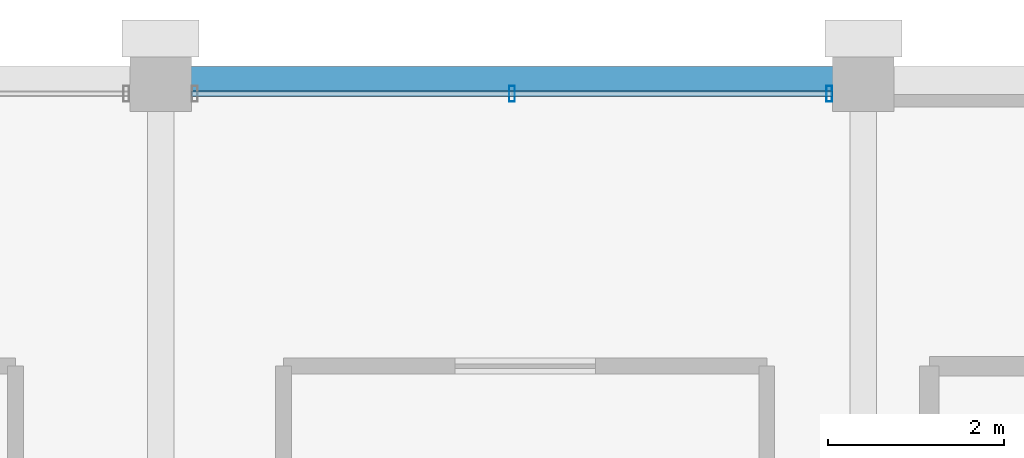
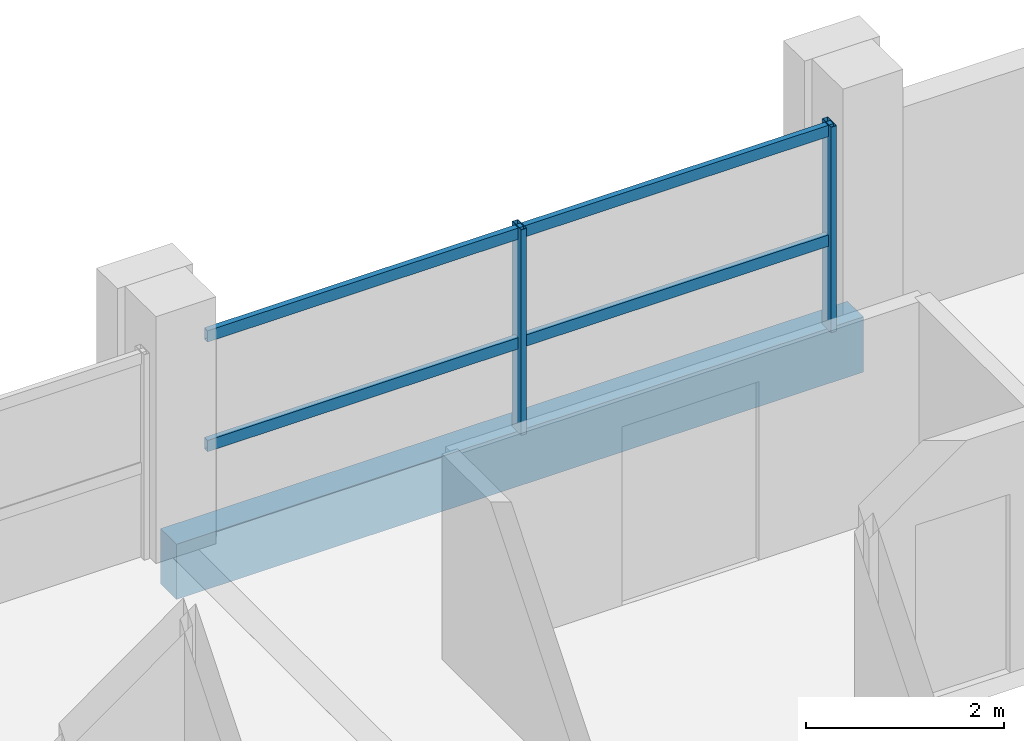
# One storey, part 18 of 24: 4 members, 1 beam, 1 element without a shape of its own.
"""IFC4 building model written with IfcOpenShell, lengths in metres."""

import ifcopenshell
import ifcopenshell.guid

model = None  # the IFC model being written
_history = None  # IfcOwnerHistory: only IFC2X3 demands one
_inside = {}  # id of a spatial element -> (the spatial element, [elements in it])
_under = {}  # id of a project, library or spatial element -> (it, [spatial elements below it])
_declared = {}  # id of a project -> (the project, [libraries it declares])
_typed = {}  # id of a type object -> (the type object, [elements of that type])
_made_of = {}  # id of a material, layer set ... -> (it, [elements and type objects made of it])


def new_model(schema):
    """Start an empty IFC model of exactly this schema.

    Asked for "IFC4X3", IfcOpenShell would pick the latest addendum, in which some entities
    have other attributes; the version numbers below select the first issue.
    IFC2X3 requires an IfcOwnerHistory on every rooted entity: one is made here for all.
    """
    global model, _history
    if schema == "IFC4X3":
        model = ifcopenshell.file(schema_version=(4, 3, 0, 0))
    else:
        model = ifcopenshell.file(schema=schema)
    _inside.clear()
    _under.clear()
    _declared.clear()
    _typed.clear()
    _made_of.clear()
    _history = None
    if model.schema == "IFC2X3":
        org = make("IfcOrganization", Name="unknown")
        user = make(
            "IfcPersonAndOrganization",
            ThePerson=make("IfcPerson", FamilyName="unknown"),
            TheOrganization=org,
        )
        app = make(
            "IfcApplication",
            ApplicationDeveloper=org,
            Version="unknown",
            ApplicationFullName="unknown",
            ApplicationIdentifier="unknown",
        )
        _history = make(
            "IfcOwnerHistory",
            OwningUser=user,
            OwningApplication=app,
            ChangeAction="ADDED",
            CreationDate=0,
        )
    return model


def make(cls, **values):
    """One entity of the class cls with the attributes given. An attribute that is None is left unset."""
    return model.create_entity(
        cls, **{name: value for name, value in values.items() if value is not None}
    )


def rooted(cls, **values):
    """An entity with a GlobalId (a new one), such as an element, a storey or a relation."""
    return make(cls, GlobalId=ifcopenshell.guid.new(), OwnerHistory=_history, **values)


def si_unit(unit_type, name, prefix=None):
    """IfcSIUnit, for example si_unit("LENGTHUNIT", "METRE", prefix="MILLI")."""
    return make("IfcSIUnit", UnitType=unit_type, Prefix=prefix, Name=name)


def assignment(units):
    """IfcUnitAssignment: the units of a project."""
    return None if units is None else make("IfcUnitAssignment", Units=units)


def point(xyz):
    """IfcCartesianPoint."""
    return None if xyz is None else make("IfcCartesianPoint", Coordinates=xyz)


def direction(xyz):
    """IfcDirection."""
    return None if xyz is None else make("IfcDirection", DirectionRatios=xyz)


def frame(location, z_axis=None, x_axis=None):
    """IfcAxis2Placement3D, a coordinate frame: its origin and axes. An axis left out is left unset."""
    return make(
        "IfcAxis2Placement3D",
        Location=point(location),
        Axis=direction(z_axis),
        RefDirection=direction(x_axis),
    )


def frame_2d(location, x_axis=None):
    """IfcAxis2Placement2D, a coordinate frame in the plane: its origin and x axis."""
    return make(
        "IfcAxis2Placement2D", Location=point(location), RefDirection=direction(x_axis)
    )


def origin():
    """The frame at (0, 0, 0) with its axes left unset."""
    return frame((0.0, 0.0, 0.0))


def origin_2d():
    """The frame at (0, 0) in the plane with its x axis left unset."""
    return frame_2d((0.0, 0.0))


def place(relative_to, where):
    """IfcLocalPlacement: puts the frame where relative to a parent placement (None: the world)."""
    return make(
        "IfcLocalPlacement", PlacementRelTo=relative_to, RelativePlacement=where
    )


def context(
    kind, dimensions, precision=None, world=None, true_north=None, identifier=None
):
    """IfcGeometricRepresentationContext, for example the 3D "Model" context."""
    return make(
        "IfcGeometricRepresentationContext",
        ContextIdentifier=identifier,
        ContextType=kind,
        CoordinateSpaceDimension=dimensions,
        Precision=precision,
        WorldCoordinateSystem=world,
        TrueNorth=true_north,
    )


def subcontext(parent, identifier, kind, view, scale=None):
    """IfcGeometricRepresentationSubContext, for example "Body" below "Model"."""
    return make(
        "IfcGeometricRepresentationSubContext",
        ContextIdentifier=identifier,
        ContextType=kind,
        ParentContext=parent,
        TargetScale=scale,
        TargetView=view,
    )


def project(units=None, contexts=None):
    """IfcProject with its units and contexts."""
    return rooted(
        "IfcProject",
        Name="project",
        RepresentationContexts=contexts,
        UnitsInContext=assignment(units),
    )


def spatial(cls, under=None, at=None, **own):
    """A site, building, storey or space (cls), placed at a placement, below another one or the project."""
    s = rooted(cls, ObjectPlacement=at, **own)
    if under is not None:
        _under.setdefault(under.id(), (under, []))[1].append(s)
    return s


def profile(cls, at=None, kind="AREA", **sizes):
    """A parametric profile (cls). Its sizes go by their IFC names, for example OverallWidth=200.0."""
    return make(cls, ProfileType=kind, Position=at, **sizes)


def rectangle(**sizes):
    """IfcRectangleProfileDef."""
    return profile("IfcRectangleProfileDef", **sizes)


def hollow_rectangle(**sizes):
    """IfcRectangleHollowProfileDef."""
    return profile("IfcRectangleHollowProfileDef", **sizes)


def extrude(swept, where, along, depth):
    """IfcExtrudedAreaSolid: the profile swept, set in the frame where, extruded along a direction by depth."""
    return make(
        "IfcExtrudedAreaSolid",
        SweptArea=swept,
        Position=where,
        ExtrudedDirection=direction(along),
        Depth=depth,
    )


def shape(context_of_items, identifier, shape_type, items):
    """IfcShapeRepresentation: the items that make up one representation, for example the "Body"."""
    return make(
        "IfcShapeRepresentation",
        ContextOfItems=context_of_items,
        RepresentationIdentifier=identifier,
        RepresentationType=shape_type,
        Items=items,
    )


def material(Name=None, Category=None):
    """IfcMaterial."""
    return make("IfcMaterial", Name=Name, Category=Category)


def material_profile(
    of_material, cross_section, Name=None, Category=None, Priority=None
):
    """IfcMaterialProfile: a cross section and its material."""
    return make(
        "IfcMaterialProfile",
        Name=Name,
        Material=of_material,
        Profile=cross_section,
        Priority=Priority,
        Category=Category,
    )


def profile_set(profiles, Name=None, composite=None):
    """IfcMaterialProfileSet."""
    return make(
        "IfcMaterialProfileSet",
        Name=Name,
        MaterialProfiles=profiles,
        CompositeProfile=composite,
    )


def made_of(thing, what):
    """Note that an element or type object is made of a material, layer set ...; save() writes the relation."""
    if what is not None:
        _made_of.setdefault(what.id(), (what, []))[1].append(thing)
    return thing


def type_object(cls, material=None, **own):
    """A type object (cls), such as IfcWallType, which elements share."""
    return made_of(rooted(cls, **own), material)


def element(
    cls,
    number,
    at=None,
    inside=None,
    cuts=None,
    type_object=None,
    material=None,
    context=None,
    identifier="Body",
    shape_type=None,
    held_by="IfcProductDefinitionShape",
    body=None,
    shapes=None,
    **own,
):
    """One element of the class cls, such as IfcWall. Its Tag is "e" and its number.

    at: its placement. inside: the storey or other place that contains it. cuts: it is an
    opening in that element (IfcRelVoidsElement). A single representation is given by context,
    identifier, shape_type and body (its items); several are given by shapes. held_by: the class
    of the entity that holds the representations. save() writes the other relations.
    """
    e = rooted(cls, Tag="e%d" % number, ObjectPlacement=at, **own)
    if body is not None:
        shapes = [shape(context, identifier, shape_type, body)]
    if shapes is not None:
        e.Representation = make(held_by, Representations=shapes)
    if inside is not None:
        _inside.setdefault(inside.id(), (inside, []))[1].append(e)
    if cuts is not None:
        rooted(
            "IfcRelVoidsElement", RelatingBuildingElement=cuts, RelatedOpeningElement=e
        )
    if type_object is not None:
        _typed.setdefault(type_object.id(), (type_object, []))[1].append(e)
    return made_of(e, material)


def aggregate(whole, parts):
    """IfcRelAggregates: a whole, such as a stair, and the parts it consists of."""
    return rooted("IfcRelAggregates", RelatingObject=whole, RelatedObjects=parts)


def save(model, path):
    """Write the relations noted so far, then the file.

    IfcRelAggregates (storeys below a building ...), IfcRelContainedInSpatialStructure (elements
    in a storey), IfcRelDefinesByType, IfcRelAssociatesMaterial and IfcRelDeclares: one each for
    every whole, place, type object, material and project.
    """
    for whole, parts in _under.values():
        aggregate(whole, parts)
    for where, things in _inside.values():
        rooted(
            "IfcRelContainedInSpatialStructure",
            RelatedElements=things,
            RelatingStructure=where,
        )
    for kind, things in _typed.values():
        rooted("IfcRelDefinesByType", RelatedObjects=things, RelatingType=kind)
    for what, things in _made_of.values():
        rooted("IfcRelAssociatesMaterial", RelatedObjects=things, RelatingMaterial=what)
    for by, libraries in _declared.values():
        rooted("IfcRelDeclares", RelatingContext=by, RelatedDefinitions=libraries)
    model.write(path)


model = new_model("IFC4")

# Units and contexts
model_context = context("Model", 3, precision=1e-05, world=origin(), true_north=direction((0.0, 1.0)))
body_context = subcontext(model_context, "Body", "Model", "MODEL_VIEW")
ifc_project = project(units=[si_unit("LENGTHUNIT", "METRE"), si_unit("AREAUNIT", "SQUARE_METRE"), si_unit("VOLUMEUNIT", "CUBIC_METRE"), si_unit("PLANEANGLEUNIT", "RADIAN"), si_unit("MASSUNIT", "GRAM", prefix="KILO")], contexts=[model_context])

# Site, building, storey
site_placement = place(None, origin())
site = spatial("IfcSite", under=ifc_project, at=site_placement, CompositionType="ELEMENT")
building_placement = place(site_placement, origin())
building = spatial("IfcBuilding", under=site, at=building_placement, Name="Akrevak Sports Hall", CompositionType="ELEMENT")
storey_placement = place(building_placement, frame((0.0, 0.0, 60.050048828125)))
storey = spatial("IfcBuildingStorey", under=building, at=storey_placement, Name="L15", CompositionType="ELEMENT", Elevation=60.050048828125)

# Curtain wall, members
ifc_material_1 = material(Name="Anodized Bronze Aluminium & Low-E Glass", Category="aluminium")
curtain_wall_type = type_object("IfcCurtainWallType", Name="ARC-CW-TWR-56x30", PredefinedType="NOTDEFINED", material=ifc_material_1)
curtain_wall_placement = place(storey_placement, origin())
curtain_wall = element("IfcCurtainWall", 1, at=curtain_wall_placement, inside=storey, type_object=curtain_wall_type, Name="Curtain Wall CW-L15-N19", PredefinedType="NOTDEFINED")
ifc_material_2 = material(Name="Anodized Bronze Aluminium", Category="aluminium")
ifc_material_profile_1 = material_profile(ifc_material_2, hollow_rectangle(XDim=0.06494140625, YDim=0.179931640625, WallThickness=0.00390625, at=origin_2d()), Name="CWM 65x180", Category="aluminium")
ifc_profile_set_1 = profile_set([ifc_material_profile_1], Name="Anodized Bronze Aluminium")
member_type_1 = type_object("IfcMemberType", Name="ARC-CWM-65x140", PredefinedType="MULLION", material=ifc_profile_set_1)
member_1_placement = place(storey_placement, frame((91.610107421875, 69.449951171875, 0.0), z_axis=(0.0, 0.0, 1.0), x_axis=(-1.0, 0.0, 0.0)))
member_1 = element("IfcMember", 2, at=member_1_placement, type_object=member_type_1, Name="Curtain Wall Mullion CW-L15-N19-M1", PredefinedType="MULLION", context=body_context, shape_type="SweptSolid", body=[
    extrude(hollow_rectangle(XDim=0.06494140625, YDim=0.179931640625, WallThickness=0.00390625, at=origin_2d()), origin(), (0.0, 0.0, 1.0), 2.530029296875),
])
member_2_placement = place(storey_placement, frame((88.0, 69.449951171875, 0.0), z_axis=(0.0, 0.0, 1.0), x_axis=(-1.0, 0.0, 0.0)))
member_2 = element("IfcMember", 3, at=member_2_placement, type_object=member_type_1, Name="Curtain Wall Mullion CW-L15-N19-M2", PredefinedType="MULLION", context=body_context, shape_type="SweptSolid", body=[
    extrude(hollow_rectangle(XDim=0.06494140625, YDim=0.179931640625, WallThickness=0.00390625, at=origin_2d()), origin(), (0.0, 0.0, 1.0), 2.530029296875),
])
ifc_material_profile_2 = material_profile(ifc_material_2, hollow_rectangle(XDim=0.06494140625, YDim=0.139892578125, WallThickness=0.00390625, at=origin_2d()), Name="CWT 65x140", Category="aluminium")
ifc_profile_set_2 = profile_set([ifc_material_profile_2], Name="Anodized Bronze Aluminium")
member_type_2 = type_object("IfcMemberType", Name="ARC-CWT-65x110", PredefinedType="USERDEFINED", material=ifc_profile_set_2)
member_3_placement = place(storey_placement, frame((91.64990234375, 69.449951171875, 1.099853515625), z_axis=(-1.0, 0.0, 0.0), x_axis=(0.0, -1.0, 0.0)))
member_3 = element("IfcMember", 4, at=member_3_placement, type_object=member_type_2, Name="Curtain Wall Transom CW-L15-N19-T1", ObjectType="TRANSOM", PredefinedType="USERDEFINED", context=body_context, shape_type="SweptSolid", body=[
    extrude(hollow_rectangle(XDim=0.06494140625, YDim=0.139892578125, WallThickness=0.00390625, at=origin_2d()), origin(), (0.0, 0.0, 1.0), 7.2998046875),
])
member_4_placement = place(storey_placement, frame((91.64990234375, 69.449951171875, 2.449951171875), z_axis=(-1.0, 0.0, 0.0), x_axis=(0.0, -1.0, 0.0)))
member_4 = element("IfcMember", 5, at=member_4_placement, type_object=member_type_2, Name="Curtain Wall Transom CW-L15-N19-T2", ObjectType="TRANSOM", PredefinedType="USERDEFINED", context=body_context, shape_type="SweptSolid", body=[
    extrude(hollow_rectangle(XDim=0.06494140625, YDim=0.139892578125, WallThickness=0.00390625, at=origin_2d()), origin(), (0.0, 0.0, 1.0), 7.2998046875),
])
aggregate(curtain_wall, [member_1, member_2, member_3, member_4])

# Beam
ifc_material_3 = material(Name="Concrete C40/50", Category="concrete")
ifc_material_profile_3 = material_profile(ifc_material_3, rectangle(XDim=0.320068359375, YDim=0.679931640625, at=origin_2d()), Name="SPD 320x680", Category="concrete")
ifc_profile_set_3 = profile_set([ifc_material_profile_3], Name="Concrete C40/50")
beam_type = type_object("IfcBeamType", Name="STR-SPD-RC320x680", PredefinedType="SPANDREL", material=ifc_profile_set_3)
beam_placement = place(storey_placement, frame((84.0, 69.60009765625, -0.340087890625), z_axis=(1.0, 0.0, 0.0), x_axis=(0.0, 1.0, 0.0)))
element("IfcBeam", 6, at=beam_placement, inside=storey, type_object=beam_type, Name="Girder K/12-13 (L15)", PredefinedType="SPANDREL", context=body_context, shape_type="SweptSolid", body=[
    extrude(rectangle(XDim=0.320068359375, YDim=0.679931640625, at=origin_2d()), origin(), (0.0, 0.0, 1.0), 8.0),
])

save(model, "model.ifc")
